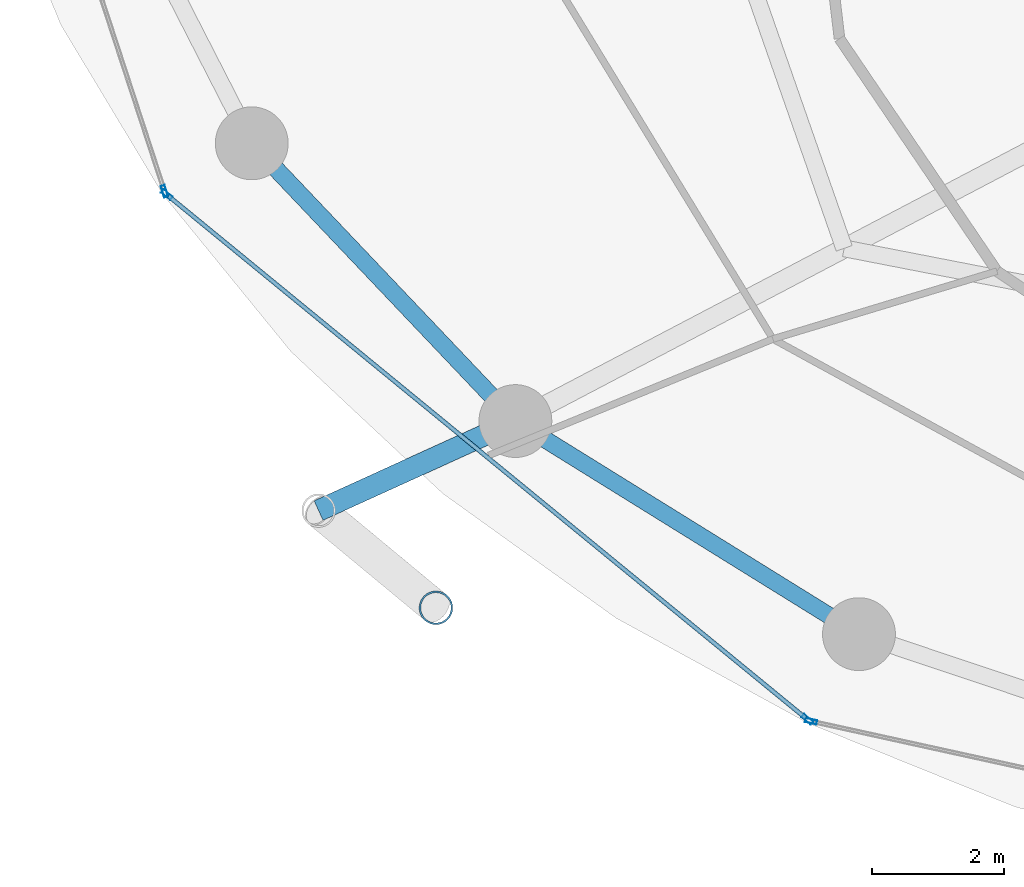
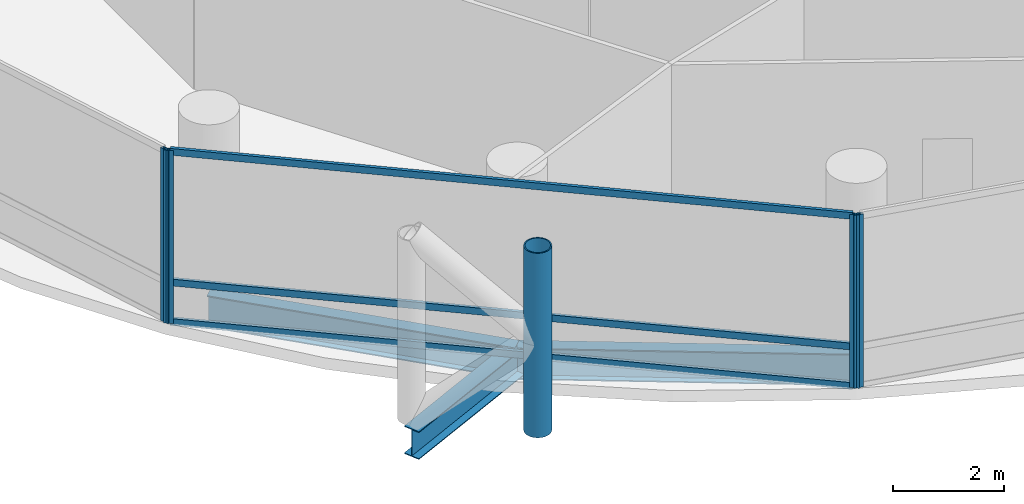
# One storey, part 2 of 25: 8 members, 3 beams, 3 elements without a shape of their own.
"""IFC4 building model written with IfcOpenShell, lengths in metres."""

from ifc_helpers import new_model, si_unit, direction, frame, origin, origin_2d, place, context, subcontext, project, spatial, hollow_rectangle, hollow_circle, i_section, extrude, material, layer, layer_set, material_profile, profile_set, type_object, element, aggregate, save


model = new_model("IFC4")

# Units and contexts
model_context = context("Model", 3, precision=1e-05, world=origin(), true_north=direction((0.0, 1.0)))
body_context = subcontext(model_context, "Body", "Model", "MODEL_VIEW")
ifc_project = project(units=[si_unit("LENGTHUNIT", "METRE"), si_unit("AREAUNIT", "SQUARE_METRE"), si_unit("VOLUMEUNIT", "CUBIC_METRE"), si_unit("PLANEANGLEUNIT", "RADIAN"), si_unit("MASSUNIT", "GRAM", prefix="KILO")], contexts=[model_context])

# Site, building, storey
site_placement = place(None, origin())
site = spatial("IfcSite", under=ifc_project, at=site_placement, CompositionType="ELEMENT")
building_placement = place(site_placement, origin())
building = spatial("IfcBuilding", under=site, at=building_placement, Name="Nuhasar Tower", CompositionType="ELEMENT")
storey_placement = place(building_placement, frame((0.0, 0.0, 61.5)))
storey = spatial("IfcBuildingStorey", under=building, at=storey_placement, Name="L14", CompositionType="ELEMENT", Elevation=61.5)

# Beams
ifc_material_1 = material(Name="Steel S355", Category="steel")
ifc_material_profile_1 = material_profile(ifc_material_1, i_section(OverallWidth=0.256103515625, OverallDepth=0.693115234375, WebThickness=0.014404296875, FlangeThickness=0.023681640625, at=origin_2d()), Name="W27X114")
ifc_profile_set_1 = profile_set([ifc_material_profile_1], Name="Steel S355")
beam_type_1 = type_object("IfcBeamType", Name="BM-RING-W27X114", PredefinedType="SPANDREL", material=ifc_profile_set_1)
beam_1_placement = place(storey_placement, frame((17.305908203125, 16.675048828125, -0.595947265625), z_axis=(0.688459812429, -0.725274490569, 0.0), x_axis=(0.725274490569, 0.688459812429, 0.0)))
element("IfcBeam", 1, at=beam_1_placement, inside=storey, type_object=beam_type_1, Name="L14 Perimeter Ring Spandrel 15", PredefinedType="SPANDREL", context=body_context, shape_type="SweptSolid", body=[
    extrude(i_section(OverallWidth=0.256103515625, OverallDepth=0.693115234375, WebThickness=0.014404296875, FlangeThickness=0.023681640625, at=origin_2d()), origin(), (0.0, 0.0, 1.0), 5.78271484375),
])
beam_2_placement = place(storey_placement, frame((21.287109375, 12.48095703125, -0.595947265625), z_axis=(0.849795216549, -0.527112976439, 0.0), x_axis=(0.527112976439, 0.849795216549, 0.0)))
element("IfcBeam", 2, at=beam_2_placement, inside=storey, type_object=beam_type_1, Name="L14 Perimeter Ring Spandrel 16", PredefinedType="SPANDREL", context=body_context, shape_type="SweptSolid", body=[
    extrude(i_section(OverallWidth=0.256103515625, OverallDepth=0.693115234375, WebThickness=0.014404296875, FlangeThickness=0.023681640625, at=origin_2d()), origin(), (0.0, 0.0, 1.0), 6.10498046875),
])
ifc_material_profile_2 = material_profile(ifc_material_1, i_section(OverallWidth=0.323974609375, OverallDepth=0.611083984375, WebThickness=0.0126953125, FlangeThickness=0.01904296875, at=origin_2d()), Name="W24X104")
ifc_profile_set_2 = profile_set([ifc_material_profile_2], Name="Steel S355")
beam_type_2 = type_object("IfcBeamType", Name="BM-TIE-W24X104", PredefinedType="BEAM", material=ifc_profile_set_2)
beam_3_placement = place(storey_placement, frame((21.287109375, 12.48095703125, -0.555908203125), z_axis=(-0.910243528587, -0.414073325227, 0.0), x_axis=(0.414073325227, -0.910243528587, 0.0)))
element("IfcBeam", 3, at=beam_3_placement, inside=storey, type_object=beam_type_2, Name="L14 Exoskeleton Node Tie Beam 08", PredefinedType="BEAM", context=body_context, shape_type="SweptSolid", body=[
    extrude(i_section(OverallWidth=0.323974609375, OverallDepth=0.611083984375, WebThickness=0.0126953125, FlangeThickness=0.01904296875, at=origin_2d()), origin(), (0.0, 0.0, 1.0), 3.26513671875),
])

# Curtain wall, member
ifc_material_2 = material(Name="Aluminium 6063-T6", Category="aluminium")
ifc_layer = layer(ifc_material_2, 0.199951171875)
ifc_layer_set = layer_set([ifc_layer], Name="Aluminium 6063-T6")
curtain_wall_type = type_object("IfcCurtainWallType", Name="CW-Z1-OFF", PredefinedType="NOTDEFINED", material=ifc_layer_set)
curtain_wall_1_placement = place(storey_placement, origin())
curtain_wall_1 = element("IfcCurtainWall", 4, at=curtain_wall_1_placement, inside=storey, type_object=curtain_wall_type, Name="L14 Unitised Curtain Wall 07", PredefinedType="NOTDEFINED")
ifc_material_profile_3 = material_profile(ifc_material_2, hollow_rectangle(XDim=0.06494140625, YDim=0.179931640625, WallThickness=0.0048828125, at=origin_2d()), Name="CWM-2")
ifc_profile_set_3 = profile_set([ifc_material_profile_3], Name="Aluminium 6063-T6")
member_type_1 = type_object("IfcMemberType", Name="CW-MUL-S2", PredefinedType="MULLION", material=ifc_profile_set_3)
member_1_placement = place(storey_placement, frame((15.98779296875, 15.950927734375, 0.0), z_axis=(0.0, 0.0, 1.0), x_axis=(0.950467534571, 0.310823849997, 0.0)))
member_1 = element("IfcMember", 5, at=member_1_placement, type_object=member_type_1, Name="CW-Z1 mullion 2", PredefinedType="MULLION", context=body_context, shape_type="SweptSolid", body=[
    extrude(hollow_rectangle(XDim=0.06494140625, YDim=0.179931640625, WallThickness=0.0048828125, at=origin_2d()), origin(), (0.0, 0.0, 1.0), 3.800048828125),
])
aggregate(curtain_wall_1, [member_1])

# Curtain wall, members
curtain_wall_2_placement = place(storey_placement, origin())
curtain_wall_2 = element("IfcCurtainWall", 6, at=curtain_wall_2_placement, inside=storey, type_object=curtain_wall_type, Name="L14 Unitised Curtain Wall 08", PredefinedType="NOTDEFINED")
member_2_placement = place(storey_placement, frame((16.023193359375, 15.8994140625, 0.0), z_axis=(0.0, 0.0, 1.0), x_axis=(0.633744593376, 0.773542364946, 0.0)))
member_2 = element("IfcMember", 7, at=member_2_placement, type_object=member_type_1, Name="CW-Z1 mullion 1", PredefinedType="MULLION", context=body_context, shape_type="SweptSolid", body=[
    extrude(hollow_rectangle(XDim=0.06494140625, YDim=0.179931640625, WallThickness=0.0048828125, at=origin_2d()), origin(), (0.0, 0.0, 1.0), 3.800048828125),
])
member_3_placement = place(storey_placement, frame((25.69482421875, 7.9755859375, 0.0), z_axis=(0.0, 0.0, 1.0), x_axis=(0.633744593376, 0.773542364946, 0.0)))
member_3 = element("IfcMember", 8, at=member_3_placement, type_object=member_type_1, Name="CW-Z1 mullion 2", PredefinedType="MULLION", context=body_context, shape_type="SweptSolid", body=[
    extrude(hollow_rectangle(XDim=0.06494140625, YDim=0.179931640625, WallThickness=0.0048828125, at=origin_2d()), origin(), (0.0, 0.0, 1.0), 3.800048828125),
])

# Curtain wall, member
curtain_wall_3_placement = place(storey_placement, origin())
curtain_wall_3 = element("IfcCurtainWall", 9, at=curtain_wall_3_placement, inside=storey, type_object=curtain_wall_type, Name="L14 Unitised Curtain Wall 09", PredefinedType="NOTDEFINED")
member_4_placement = place(storey_placement, frame((25.751708984375, 7.947998046875, 0.0), z_axis=(0.0, 0.0, 1.0), x_axis=(0.214398737637, 0.976746221544, 0.0)))
member_4 = element("IfcMember", 10, at=member_4_placement, type_object=member_type_1, Name="CW-Z1 mullion 1", PredefinedType="MULLION", context=body_context, shape_type="SweptSolid", body=[
    extrude(hollow_rectangle(XDim=0.06494140625, YDim=0.179931640625, WallThickness=0.0048828125, at=origin_2d()), origin(), (0.0, 0.0, 1.0), 3.800048828125),
])
aggregate(curtain_wall_3, [member_4])

# Member
ifc_material_profile_4 = material_profile(ifc_material_2, hollow_rectangle(XDim=0.06494140625, YDim=0.14990234375, WallThickness=0.00439453125, at=origin_2d()), Name="CWT-2")
ifc_profile_set_4 = profile_set([ifc_material_profile_4], Name="Aluminium 6063-T6")
member_type_2 = type_object("IfcMemberType", Name="CW-TRN-S2", PredefinedType="USERDEFINED", material=ifc_profile_set_4)
member_5_placement = place(storey_placement, frame((16.04833984375, 15.87890625, 0.032470703125), z_axis=(0.773531229158, -0.633758185365, 0.0), x_axis=(0.633758185365, 0.773531229158, 0.0)))
member_5 = element("IfcMember", 11, at=member_5_placement, type_object=member_type_2, Name="CW-Z1 transom 1.1", ObjectType="TRANSOM", PredefinedType="USERDEFINED", context=body_context, shape_type="SweptSolid", body=[
    extrude(hollow_rectangle(XDim=0.06494140625, YDim=0.14990234375, WallThickness=0.00439453125, at=origin_2d()), origin(), (0.0, 0.0, 1.0), 12.438232421875),
])

member_6_placement = place(storey_placement, frame((16.04833984375, 15.87890625, 0.89990234375), z_axis=(0.773531229158, -0.633758185365, 0.0), x_axis=(0.633758185365, 0.773531229158, 0.0)))
member_6 = element("IfcMember", 12, at=member_6_placement, type_object=member_type_2, Name="CW-Z1 transom 1.2", ObjectType="TRANSOM", PredefinedType="USERDEFINED", context=body_context, shape_type="SweptSolid", body=[
    extrude(hollow_rectangle(XDim=0.06494140625, YDim=0.14990234375, WallThickness=0.00439453125, at=origin_2d()), origin(), (0.0, 0.0, 1.0), 12.438232421875),
])

member_7_placement = place(storey_placement, frame((16.04833984375, 15.87890625, 3.767578125), z_axis=(0.773531229158, -0.633758185365, 0.0), x_axis=(0.633758185365, 0.773531229158, 0.0)))
member_7 = element("IfcMember", 13, at=member_7_placement, type_object=member_type_2, Name="CW-Z1 transom 1.3", ObjectType="TRANSOM", PredefinedType="USERDEFINED", context=body_context, shape_type="SweptSolid", body=[
    extrude(hollow_rectangle(XDim=0.06494140625, YDim=0.14990234375, WallThickness=0.00439453125, at=origin_2d()), origin(), (0.0, 0.0, 1.0), 12.438232421875),
])

aggregate(curtain_wall_2, [member_2, member_3, member_5, member_6, member_7])

ifc_material_3 = material(Name="Steel S460", Category="steel")
ifc_material_profile_5 = material_profile(ifc_material_3, hollow_circle(Radius=0.25390625, WallThickness=0.025390625, at=origin_2d()), Name="HSS508X25.4")
ifc_profile_set_5 = profile_set([ifc_material_profile_5], Name="Steel S460")
member_type_3 = type_object("IfcMemberType", Name="EXO-BRONZE-508", PredefinedType="BRACE", material=ifc_profile_set_5)
member_8_placement = place(storey_placement, frame((20.0869140625, 9.660888671875, 0.0), z_axis=(0.0, 0.0, 1.0), x_axis=(1.0, 0.0, 0.0)))
element("IfcMember", 14, at=member_8_placement, inside=storey, type_object=member_type_3, Name="L14 Exoskeleton Chord Column EC-08B", PredefinedType="BRACE", context=body_context, shape_type="SweptSolid", body=[
    extrude(hollow_circle(Radius=0.25390625, WallThickness=0.025390625, at=origin_2d()), origin(), (0.0, 0.0, 1.0), 4.050048828125),
])

save(model, "model.ifc")
